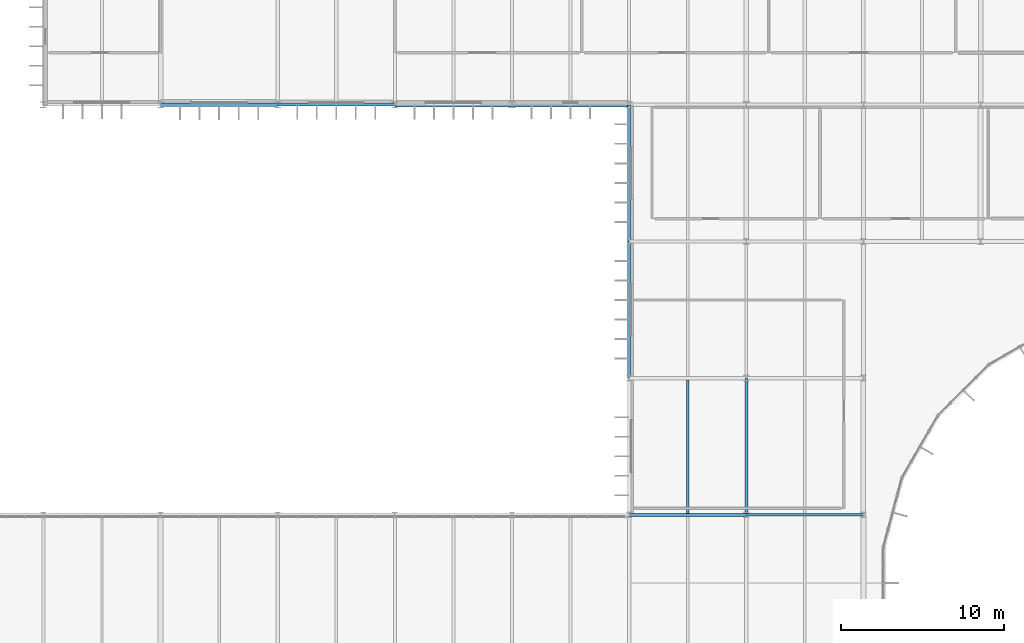
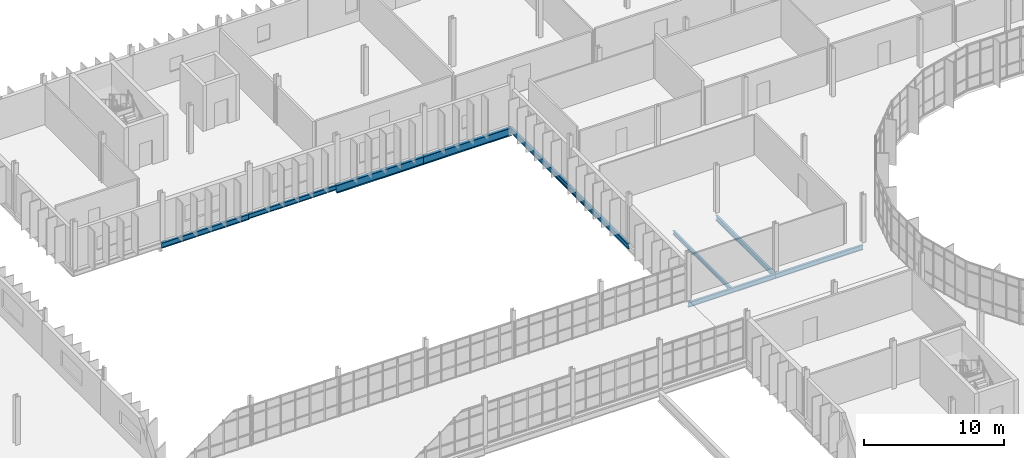
# One storey, part 52 of 119: 10 beams.
"""IFC4 building model written with IfcOpenShell, lengths in metres."""

from ifc_helpers import new_model, si_unit, direction, frame, origin, origin_2d, place, context, subcontext, project, spatial, i_section, extrude, material, material_profile, profile_set, type_object, element, save


model = new_model("IFC4")

# Units and contexts
model_context = context("Model", 3, precision=1e-05, world=origin(), true_north=direction((0.0, 1.0)))
body_context = subcontext(model_context, "Body", "Model", "MODEL_VIEW")
ifc_project = project(units=[si_unit("LENGTHUNIT", "METRE"), si_unit("AREAUNIT", "SQUARE_METRE"), si_unit("VOLUMEUNIT", "CUBIC_METRE"), si_unit("PLANEANGLEUNIT", "RADIAN"), si_unit("MASSUNIT", "GRAM", prefix="KILO")], contexts=[model_context])

# Site, building, storey
site_placement = place(None, origin())
site = spatial("IfcSite", under=ifc_project, at=site_placement, CompositionType="ELEMENT")
building_placement = place(site_placement, origin())
building = spatial("IfcBuilding", under=site, at=building_placement, Name="Qelthora Terrace Specialist Clinic", CompositionType="ELEMENT")
storey_placement = place(building_placement, frame((0.0, 0.0, 4.800048828125)))
storey = spatial("IfcBuildingStorey", under=building, at=storey_placement, Name="L01", CompositionType="ELEMENT", Elevation=4.800048828125)

# Beams
ifc_material = material(Name="Steel S355", Category="steel")
ifc_material_profile_1 = material_profile(ifc_material, i_section(OverallWidth=0.178955078125, OverallDepth=0.409912109375, WebThickness=0.0087890625, FlangeThickness=0.014404296875, FilletRadius=0.011962890625, at=origin_2d()), Name="W410X67")
ifc_profile_set_1 = profile_set([ifc_material_profile_1], Name="Steel S355")
beam_type_1 = type_object("IfcBeamType", Name="BM-W410X67", PredefinedType="BEAM", material=ifc_profile_set_1)
for number, where, z_axis, x_axis, name in (
    (1, (100.800048828125, 67.199951171875, -0.455078125), (1.0, 0.0, 0.0), (0.0, 1.0, 0.0), "Girder BMX-L01-0264"),
    (2, (72.0, 92.39990234375, -0.455078125), (1.0, 0.0, 0.0), (0.0, 1.0, 0.0), "Girder BMX-L01-0294"),
):
    element("IfcBeam", number, at=place(storey_placement, frame(where, z_axis=z_axis, x_axis=x_axis)), inside=storey, type_object=beam_type_1, Name=name, PredefinedType="BEAM", context=body_context, shape_type="SweptSolid", body=[
        extrude(i_section(OverallWidth=0.178955078125, OverallDepth=0.409912109375, WebThickness=0.0087890625, FlangeThickness=0.014404296875, FilletRadius=0.011962890625, at=origin_2d()), origin(), (0.0, 0.0, 1.0), 7.199951171875),
    ])
ifc_material_profile_2 = material_profile(ifc_material, i_section(OverallWidth=0.179931640625, OverallDepth=0.4130859375, WebThickness=0.009765625, FlangeThickness=0.01611328125, FilletRadius=0.011962890625, at=origin_2d()), Name="W410X75")
ifc_profile_set_2 = profile_set([ifc_material_profile_2], Name="Steel S355")
beam_type_2 = type_object("IfcBeamType", Name="BM-W410X75", PredefinedType="BEAM", material=ifc_profile_set_2)
beam_1_placement = place(storey_placement, frame((93.60009765625, 67.199951171875, -0.45654296875), z_axis=(1.0, 0.0, 0.0), x_axis=(0.0, 1.0, 0.0)))
element("IfcBeam", 3, at=beam_1_placement, inside=storey, type_object=beam_type_2, Name="Girder BMX-L01-0263", PredefinedType="BEAM", context=body_context, shape_type="SweptSolid", body=[
    extrude(i_section(OverallWidth=0.179931640625, OverallDepth=0.4130859375, WebThickness=0.009765625, FlangeThickness=0.01611328125, FilletRadius=0.011962890625, at=origin_2d()), origin(), (0.0, 0.0, 1.0), 7.199951171875),
])
beam_2_placement = place(storey_placement, frame((100.800048828125, 67.199951171875, -0.45654296875), z_axis=(0.0, 1.0, 0.0), x_axis=(-1.0, 0.0, 0.0)))
element("IfcBeam", 4, at=beam_2_placement, inside=storey, type_object=beam_type_2, Name="Girder BMY-L01-0469", PredefinedType="BEAM", context=body_context, shape_type="SweptSolid", body=[
    extrude(i_section(OverallWidth=0.179931640625, OverallDepth=0.4130859375, WebThickness=0.009765625, FlangeThickness=0.01611328125, FilletRadius=0.011962890625, at=origin_2d()), origin(), (0.0, 0.0, 1.0), 8.400146484375),
])
ifc_material_profile_3 = material_profile(ifc_material, i_section(OverallWidth=0.19091796875, OverallDepth=0.4599609375, WebThickness=0.010009765625, FlangeThickness=0.01611328125, FilletRadius=0.012939453125, at=origin_2d()), Name="W460X82")
ifc_profile_set_3 = profile_set([ifc_material_profile_3], Name="Steel S355")
beam_type_3 = type_object("IfcBeamType", Name="BM-W460X82", PredefinedType="BEAM", material=ifc_profile_set_3)
beam_3_placement = place(storey_placement, frame((64.800048828125, 92.39990234375, -0.47998046875), z_axis=(1.0, 0.0, 0.0), x_axis=(0.0, 1.0, 0.0)))
element("IfcBeam", 5, at=beam_3_placement, inside=storey, type_object=beam_type_3, Name="Girder BMX-L01-0293", PredefinedType="BEAM", context=body_context, shape_type="SweptSolid", body=[
    extrude(i_section(OverallWidth=0.19091796875, OverallDepth=0.4599609375, WebThickness=0.010009765625, FlangeThickness=0.01611328125, FilletRadius=0.012939453125, at=origin_2d()), origin(), (0.0, 0.0, 1.0), 7.199951171875),
])
beam_4_placement = place(storey_placement, frame((93.60009765625, 84.0, -0.47998046875), z_axis=(0.0, 1.0, 0.0), x_axis=(-1.0, 0.0, 0.0)))
element("IfcBeam", 6, at=beam_4_placement, inside=storey, type_object=beam_type_3, Name="Girder BMY-L01-0458", PredefinedType="BEAM", context=body_context, shape_type="SweptSolid", body=[
    extrude(i_section(OverallWidth=0.19091796875, OverallDepth=0.4599609375, WebThickness=0.010009765625, FlangeThickness=0.01611328125, FilletRadius=0.012939453125, at=origin_2d()), origin(), (0.0, 0.0, 1.0), 8.39990234375),
])
ifc_material_profile_4 = material_profile(ifc_material, i_section(OverallWidth=0.193115234375, OverallDepth=0.466064453125, WebThickness=0.011474609375, FlangeThickness=0.01904296875, FilletRadius=0.012939453125, at=origin_2d()), Name="W460X97")
ifc_profile_set_4 = profile_set([ifc_material_profile_4], Name="Steel S355")
beam_type_4 = type_object("IfcBeamType", Name="BM-W460X97", PredefinedType="BEAM", material=ifc_profile_set_4)
beam_5_placement = place(storey_placement, frame((93.60009765625, 75.60009765625, -0.483154296875), z_axis=(0.0, 1.0, 0.0), x_axis=(-1.0, 0.0, 0.0)))
element("IfcBeam", 7, at=beam_5_placement, inside=storey, type_object=beam_type_4, Name="Girder BMY-L01-0457", PredefinedType="BEAM", context=body_context, shape_type="SweptSolid", body=[
    extrude(i_section(OverallWidth=0.193115234375, OverallDepth=0.466064453125, WebThickness=0.011474609375, FlangeThickness=0.01904296875, FilletRadius=0.012939453125, at=origin_2d()), origin(), (0.0, 0.0, 1.0), 8.39990234375),
])
ifc_material_profile_5 = material_profile(ifc_material, i_section(OverallWidth=0.25390625, OverallDepth=0.68798828125, WebThickness=0.01318359375, FlangeThickness=0.02099609375, FilletRadius=0.01806640625, at=origin_2d()), Name="W690X152")
ifc_profile_set_5 = profile_set([ifc_material_profile_5], Name="Steel S355")
beam_type_5 = type_object("IfcBeamType", Name="BM-W690X152", PredefinedType="BEAM", material=ifc_profile_set_5)
beam_6_placement = place(storey_placement, frame((86.39990234375, 92.39990234375, -0.593994140625), z_axis=(1.0, 0.0, 0.0), x_axis=(0.0, 1.0, 0.0)))
element("IfcBeam", 8, at=beam_6_placement, inside=storey, type_object=beam_type_5, Name="Girder BMX-L01-0296", PredefinedType="BEAM", context=body_context, shape_type="SweptSolid", body=[
    extrude(i_section(OverallWidth=0.25390625, OverallDepth=0.68798828125, WebThickness=0.01318359375, FlangeThickness=0.02099609375, FilletRadius=0.01806640625, at=origin_2d()), origin(), (0.0, 0.0, 1.0), 7.2001953125),
])
ifc_material_profile_6 = material_profile(ifc_material, i_section(OverallWidth=0.256103515625, OverallDepth=0.693115234375, WebThickness=0.014404296875, FlangeThickness=0.023681640625, FilletRadius=0.01806640625, at=origin_2d()), Name="W690X170")
ifc_profile_set_6 = profile_set([ifc_material_profile_6], Name="Steel S355")
beam_type_6 = type_object("IfcBeamType", Name="BM-W690X170", PredefinedType="BEAM", material=ifc_profile_set_6)
beam_7_placement = place(storey_placement, frame((79.199951171875, 92.39990234375, -0.596435546875), z_axis=(1.0, 0.0, 0.0), x_axis=(0.0, 1.0, 0.0)))
element("IfcBeam", 9, at=beam_7_placement, inside=storey, type_object=beam_type_6, Name="Girder BMX-L01-0295", PredefinedType="BEAM", context=body_context, shape_type="SweptSolid", body=[
    extrude(i_section(OverallWidth=0.256103515625, OverallDepth=0.693115234375, WebThickness=0.014404296875, FlangeThickness=0.023681640625, FilletRadius=0.01806640625, at=origin_2d()), origin(), (0.0, 0.0, 1.0), 7.199951171875),
])
ifc_material_profile_7 = material_profile(ifc_material, i_section(OverallWidth=0.1669921875, OverallDepth=0.31689453125, WebThickness=0.007568359375, FlangeThickness=0.01318359375, FilletRadius=0.010009765625, at=origin_2d()), Name="W310X52")
ifc_profile_set_7 = profile_set([ifc_material_profile_7], Name="Steel S355")
beam_type_7 = type_object("IfcBeamType", Name="JST-W310X52", PredefinedType="JOIST", material=ifc_profile_set_7)
beam_8_placement = place(storey_placement, frame((97.199951171875, 67.2900390625, -0.408447265625), z_axis=(0.0, 1.0, 0.0), x_axis=(-1.0, 0.0, 0.0)))
element("IfcBeam", 10, at=beam_8_placement, inside=storey, type_object=beam_type_7, Name="Composite floor joist JST-L01-0111", PredefinedType="JOIST", context=body_context, shape_type="SweptSolid", body=[
    extrude(i_section(OverallWidth=0.1669921875, OverallDepth=0.31689453125, WebThickness=0.007568359375, FlangeThickness=0.01318359375, FilletRadius=0.010009765625, at=origin_2d()), origin(), (0.0, 0.0, 1.0), 8.203857421875),
])

save(model, "model.ifc")
